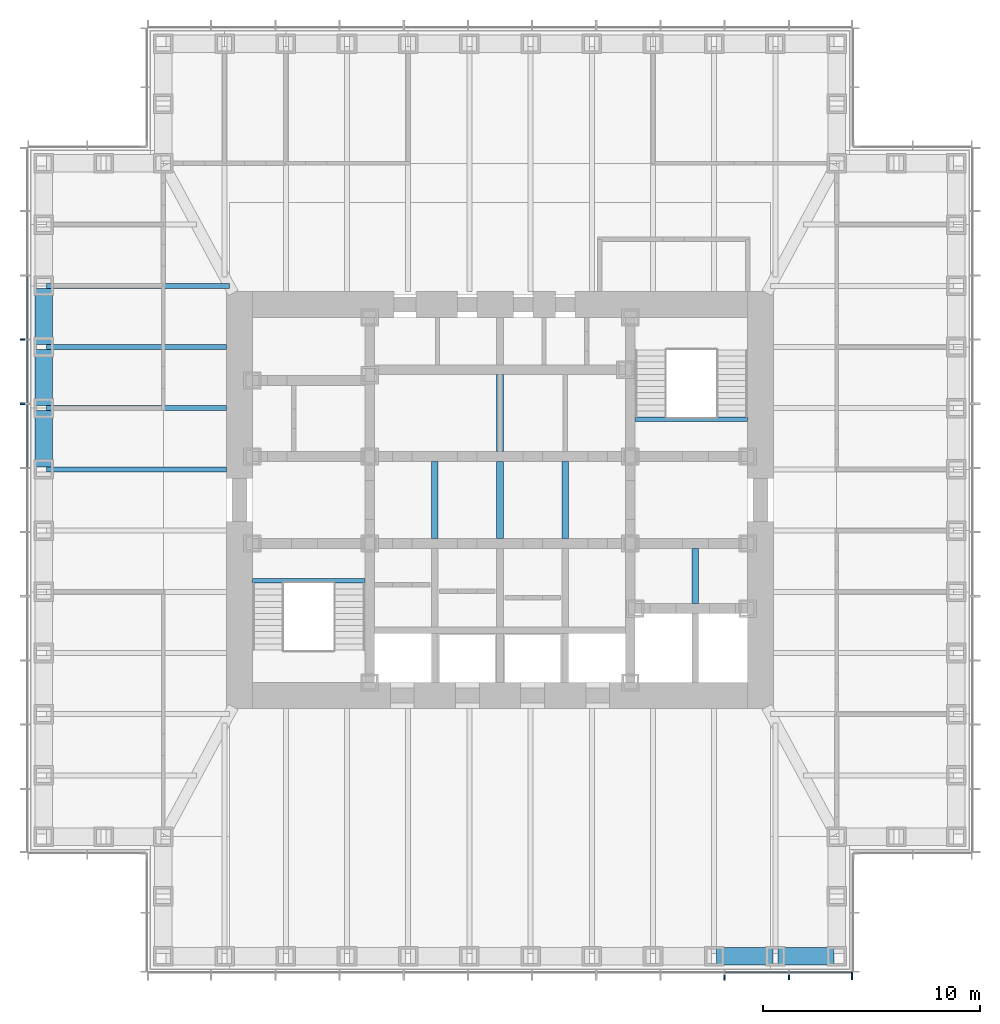
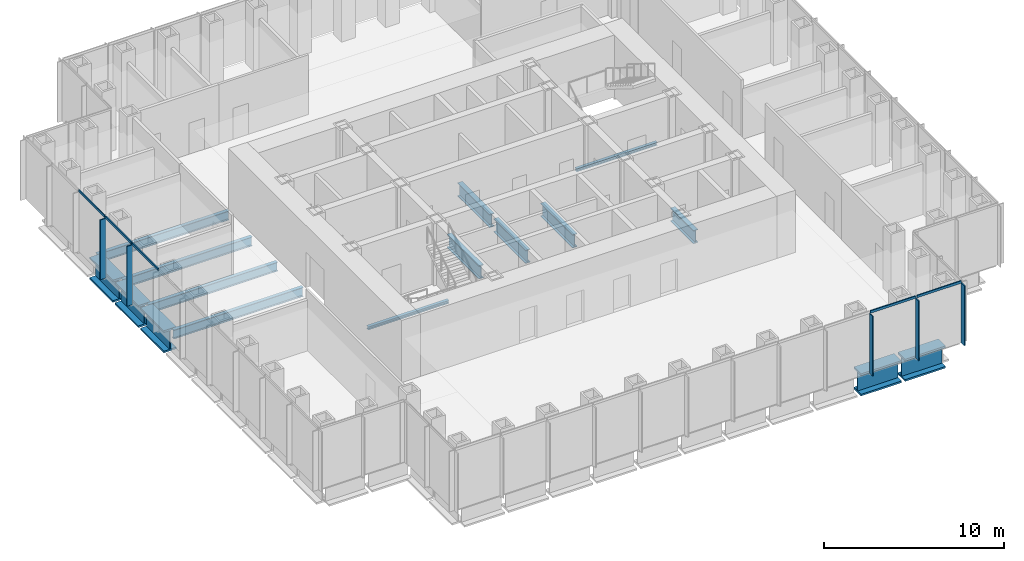
# One storey, part 3 of 16: 16 beams, 10 members, 2 elements without a shape of their own.
"""IFC4 building model written with IfcOpenShell, lengths in metres."""

from ifc_helpers import new_model, si_unit, direction, frame, origin, origin_2d, place, context, subcontext, project, spatial, rectangle, i_section, extrude, material, material_profile, profile_set, type_object, element, aggregate, save


model = new_model("IFC4")

# Units and contexts
model_context = context("Model", 3, precision=1e-05, world=origin(), true_north=direction((0.0, 1.0)))
body_context = subcontext(model_context, "Body", "Model", "MODEL_VIEW")
ifc_project = project(units=[si_unit("LENGTHUNIT", "METRE"), si_unit("AREAUNIT", "SQUARE_METRE"), si_unit("VOLUMEUNIT", "CUBIC_METRE"), si_unit("PLANEANGLEUNIT", "RADIAN"), si_unit("MASSUNIT", "GRAM", prefix="KILO")], contexts=[model_context])

# Site, building, storey
site_placement = place(None, origin())
site = spatial("IfcSite", under=ifc_project, at=site_placement, CompositionType="ELEMENT")
building_placement = place(site_placement, origin())
building = spatial("IfcBuilding", under=site, at=building_placement, Name="Daluyong Arena Tower", CompositionType="ELEMENT")
storey_placement = place(building_placement, frame((0.0, 0.0, 210.699951171875)))
storey = spatial("IfcBuildingStorey", under=building, at=storey_placement, Name="L47", CompositionType="ELEMENT", Elevation=210.699951171875)

# Curtain wall, members
ifc_material_1 = material(Name="Bronze anodised aluminium and glass", Category="aluminium")
curtain_wall_type = type_object("IfcCurtainWallType", Name="Curtain wall CW3", PredefinedType="USERDEFINED", material=ifc_material_1)
curtain_wall_1_placement = place(storey_placement, origin())
curtain_wall_1 = element("IfcCurtainWall", 1, at=curtain_wall_1_placement, inside=storey, type_object=curtain_wall_type, Name="curtain wall L47 S", ObjectType="UNITISED CURTAIN WALL", PredefinedType="USERDEFINED")
ifc_material_2 = material(Name="Bronze anodised aluminium fin", Category="aluminium")
ifc_material_profile_1 = material_profile(ifc_material_2, rectangle(XDim=0.35009765625, YDim=0.070068359375, at=origin_2d()))
ifc_profile_set_1 = profile_set([ifc_material_profile_1], Name="Bronze anodised aluminium fin")
member_type_1 = type_object("IfcMemberType", Name="CW3 bronze fin 350x70", PredefinedType="MULLION", material=ifc_profile_set_1)
member_1_placement = place(storey_placement, frame((66.3408203125, 58.074951171875, 0.0), z_axis=(0.0, 0.0, 1.0), x_axis=(0.0, 1.0, 0.0)))
member_1 = element("IfcMember", 2, at=member_1_placement, type_object=member_type_1, Name="curtain wall L47 S fin 10", PredefinedType="MULLION", context=body_context, shape_type="SweptSolid", body=[
    extrude(rectangle(XDim=0.35009765625, YDim=0.070068359375, at=origin_2d()), origin(), (0.0, 0.0, 1.0), 4.0400390625),
])
member_2_placement = place(storey_placement, frame((69.29541015625, 58.074951171875, 0.0), z_axis=(0.0, 0.0, 1.0), x_axis=(0.0, 1.0, 0.0)))
member_2 = element("IfcMember", 3, at=member_2_placement, type_object=member_type_1, Name="curtain wall L47 S fin 11", PredefinedType="MULLION", context=body_context, shape_type="SweptSolid", body=[
    extrude(rectangle(XDim=0.35009765625, YDim=0.070068359375, at=origin_2d()), origin(), (0.0, 0.0, 1.0), 4.0400390625),
])
member_3_placement = place(storey_placement, frame((72.215087890625, 58.074951171875, 0.0), z_axis=(0.0, 0.0, 1.0), x_axis=(0.0, 1.0, 0.0)))
member_3 = element("IfcMember", 4, at=member_3_placement, type_object=member_type_1, Name="curtain wall L47 S fin 12", PredefinedType="MULLION", context=body_context, shape_type="SweptSolid", body=[
    extrude(rectangle(XDim=0.35009765625, YDim=0.070068359375, at=origin_2d()), origin(), (0.0, 0.0, 1.0), 4.0400390625),
])

curtain_wall_2_placement = place(storey_placement, origin())
curtain_wall_2 = element("IfcCurtainWall", 5, at=curtain_wall_2_placement, inside=storey, type_object=curtain_wall_type, Name="curtain wall L47 W", ObjectType="UNITISED CURTAIN WALL", PredefinedType="USERDEFINED")
member_4_placement = place(storey_placement, frame((34.074951171875, 87.386474609375, 0.0), z_axis=(0.0, 0.0, 1.0), x_axis=(1.0, 0.0, 0.0)))
member_4 = element("IfcMember", 6, at=member_4_placement, type_object=member_type_1, Name="curtain wall L47 W fin 4", PredefinedType="MULLION", context=body_context, shape_type="SweptSolid", body=[
    extrude(rectangle(XDim=0.35009765625, YDim=0.070068359375, at=origin_2d()), origin(), (0.0, 0.0, 1.0), 4.0400390625),
])
member_5_placement = place(storey_placement, frame((34.074951171875, 84.431884765625, 0.0), z_axis=(0.0, 0.0, 1.0), x_axis=(1.0, 0.0, 0.0)))
member_5 = element("IfcMember", 7, at=member_5_placement, type_object=member_type_1, Name="curtain wall L47 W fin 5", PredefinedType="MULLION", context=body_context, shape_type="SweptSolid", body=[
    extrude(rectangle(XDim=0.35009765625, YDim=0.070068359375, at=origin_2d()), origin(), (0.0, 0.0, 1.0), 4.0400390625),
])

# Member
ifc_material_3 = material(Name="Bronze anodised aluminium", Category="aluminium")
ifc_material_profile_2 = material_profile(ifc_material_3, rectangle(XDim=0.070068359375, YDim=0.159912109375, at=origin_2d()))
ifc_profile_set_2 = profile_set([ifc_material_profile_2], Name="Bronze anodised aluminium")
member_type_2 = type_object("IfcMemberType", Name="CW3 stack transom 160x70", PredefinedType="USERDEFINED", material=ifc_profile_set_2)
member_6_placement = place(storey_placement, frame((66.3759765625, 58.25, 4.1201171875), z_axis=(1.0, 0.0, 0.0), x_axis=(0.0, 1.0, 0.0)))
member_6 = element("IfcMember", 8, at=member_6_placement, type_object=member_type_2, Name="curtain wall L47 S transom 10", ObjectType="TRANSOM", PredefinedType="USERDEFINED", context=body_context, shape_type="SweptSolid", body=[
    extrude(rectangle(XDim=0.070068359375, YDim=0.159912109375, at=origin_2d()), origin(), (0.0, 0.0, 1.0), 2.884521484375),
])

member_7_placement = place(storey_placement, frame((69.33056640625, 58.25, 4.1201171875), z_axis=(1.0, 0.0, 0.0), x_axis=(0.0, 1.0, 0.0)))
member_7 = element("IfcMember", 9, at=member_7_placement, type_object=member_type_2, Name="curtain wall L47 S transom 11", ObjectType="TRANSOM", PredefinedType="USERDEFINED", context=body_context, shape_type="SweptSolid", body=[
    extrude(rectangle(XDim=0.070068359375, YDim=0.159912109375, at=origin_2d()), origin(), (0.0, 0.0, 1.0), 2.849365234375),
])

aggregate(curtain_wall_1, [member_1, member_2, member_3, member_6, member_7])

member_8_placement = place(storey_placement, frame((34.25, 90.305908203125, 4.1201171875), z_axis=(0.0, -1.0, 0.0), x_axis=(1.0, 0.0, 0.0)))
member_8 = element("IfcMember", 10, at=member_8_placement, type_object=member_type_2, Name="curtain wall L47 W transom 3", ObjectType="TRANSOM", PredefinedType="USERDEFINED", context=body_context, shape_type="SweptSolid", body=[
    extrude(rectangle(XDim=0.070068359375, YDim=0.159912109375, at=origin_2d()), origin(), (0.0, 0.0, 1.0), 2.884521484375),
])

member_9_placement = place(storey_placement, frame((34.25, 87.351318359375, 4.1201171875), z_axis=(0.0, -1.0, 0.0), x_axis=(1.0, 0.0, 0.0)))
member_9 = element("IfcMember", 11, at=member_9_placement, type_object=member_type_2, Name="curtain wall L47 W transom 4", ObjectType="TRANSOM", PredefinedType="USERDEFINED", context=body_context, shape_type="SweptSolid", body=[
    extrude(rectangle(XDim=0.070068359375, YDim=0.159912109375, at=origin_2d()), origin(), (0.0, 0.0, 1.0), 2.884521484375),
])

member_10_placement = place(storey_placement, frame((34.25, 84.396728515625, 4.1201171875), z_axis=(0.0, -1.0, 0.0), x_axis=(1.0, 0.0, 0.0)))
member_10 = element("IfcMember", 12, at=member_10_placement, type_object=member_type_2, Name="curtain wall L47 W transom 5", ObjectType="TRANSOM", PredefinedType="USERDEFINED", context=body_context, shape_type="SweptSolid", body=[
    extrude(rectangle(XDim=0.070068359375, YDim=0.159912109375, at=origin_2d()), origin(), (0.0, 0.0, 1.0), 2.884521484375),
])

aggregate(curtain_wall_2, [member_4, member_5, member_8, member_9, member_10])

# Beams
ifc_material_4 = material(Name="Steel ASTM A992 Grade 50", Category="steel")
ifc_material_profile_3 = material_profile(ifc_material_4, i_section(OverallWidth=0.22900390625, OverallDepth=0.612060546875, WebThickness=0.011962890625, FlangeThickness=0.01953125, at=origin_2d()))
ifc_profile_set_3 = profile_set([ifc_material_profile_3], Name="Steel ASTM A992 Grade 50")
beam_type_1 = type_object("IfcBeamType", Name="Floor beam W24X84", PredefinedType="BEAM", material=ifc_profile_set_3)
beam_1_placement = place(storey_placement, frame((35.114990234375, 89.863525390625, -0.466064453125), z_axis=(1.0, 0.0, 0.0), x_axis=(0.0, 1.0, 0.0)))
element("IfcBeam", 13, at=beam_1_placement, inside=storey, type_object=beam_type_1, Name="floor beam FB3", PredefinedType="BEAM", context=body_context, shape_type="SweptSolid", body=[
    extrude(i_section(OverallWidth=0.22900390625, OverallDepth=0.612060546875, WebThickness=0.011962890625, FlangeThickness=0.01953125, at=origin_2d()), origin(), (0.0, 0.0, 1.0), 8.419921875),
])
for number, where, z_axis, x_axis, name in (
    (14, (35.114990234375, 87.04541015625, -0.466064453125), (1.0, 0.0, 0.0), (0.0, 1.0, 0.0), "floor beam FB3"),
    (15, (35.114990234375, 84.227294921875, -0.466064453125), (1.0, 0.0, 0.0), (0.0, 1.0, 0.0), "floor beam FB3"),
    (16, (35.114990234375, 81.4091796875, -0.466064453125), (1.0, 0.0, 0.0), (0.0, 1.0, 0.0), "floor beam FB3"),
):
    element("IfcBeam", number, at=place(storey_placement, frame(where, z_axis=z_axis, x_axis=x_axis)), inside=storey, type_object=beam_type_1, Name=name, PredefinedType="BEAM", context=body_context, shape_type="SweptSolid", body=[
        extrude(i_section(OverallWidth=0.22900390625, OverallDepth=0.612060546875, WebThickness=0.011962890625, FlangeThickness=0.01953125, at=origin_2d()), origin(), (0.0, 0.0, 1.0), 8.284912109375),
    ])
ifc_material_5 = material(Name="Steel ASTM A572 Grade 50", Category="steel")
ifc_material_profile_4 = material_profile(ifc_material_5, i_section(OverallWidth=0.300048828125, OverallDepth=0.89990234375, WebThickness=0.025, FlangeThickness=0.04, at=origin_2d()))
ifc_profile_set_4 = profile_set([ifc_material_profile_4], Name="Steel ASTM A572 Grade 50")
beam_type_2 = type_object("IfcBeamType", Name="Lift divider beam PG900X300", PredefinedType="BEAM", material=ifc_profile_set_4)
for number, where, z_axis, x_axis, name in (
    (17, (53.0, 78.22509765625, -0.60986328125), (0.0, 1.0, 0.0), (-1.0, 0.0, 0.0), "lift divider beam DB1"),
    (18, (56.0, 78.22509765625, -0.60986328125), (0.0, 1.0, 0.0), (-1.0, 0.0, 0.0), "lift divider beam DB1"),
    (19, (56.0, 82.22509765625, -0.60986328125), (0.0, 1.0, 0.0), (-1.0, 0.0, 0.0), "lift divider beam DB1"),
    (20, (59.0, 78.22509765625, -0.60986328125), (0.0, 1.0, 0.0), (-1.0, 0.0, 0.0), "lift divider beam DB1"),
):
    element("IfcBeam", number, at=place(storey_placement, frame(where, z_axis=z_axis, x_axis=x_axis)), inside=storey, type_object=beam_type_2, Name=name, PredefinedType="BEAM", context=body_context, shape_type="SweptSolid", body=[
        extrude(i_section(OverallWidth=0.300048828125, OverallDepth=0.89990234375, WebThickness=0.025, FlangeThickness=0.04, at=origin_2d()), origin(), (0.0, 0.0, 1.0), 3.5498046875),
    ])
beam_2_placement = place(storey_placement, frame((65.0, 75.22509765625, -0.60986328125), z_axis=(0.0, 1.0, 0.0), x_axis=(-1.0, 0.0, 0.0)))
element("IfcBeam", 21, at=beam_2_placement, inside=storey, type_object=beam_type_2, Name="lift divider beam DB1", PredefinedType="BEAM", context=body_context, shape_type="SweptSolid", body=[
    extrude(i_section(OverallWidth=0.300048828125, OverallDepth=0.89990234375, WebThickness=0.025, FlangeThickness=0.04, at=origin_2d()), origin(), (0.0, 0.0, 1.0), 2.5498046875),
])
ifc_material_6 = material(Name="Steel ASTM A588 Grade 50", Category="steel")
ifc_material_profile_5 = material_profile(ifc_material_6, i_section(OverallWidth=0.800048828125, OverallDepth=1.5, WebThickness=0.05, FlangeThickness=0.12, at=origin_2d()))
ifc_profile_set_5 = profile_set([ifc_material_profile_5], Name="Steel ASTM A588 Grade 50")
beam_type_3 = type_object("IfcBeamType", Name="Spandrel Z3 PG1500X800", PredefinedType="SPANDREL", material=ifc_profile_set_5)
beam_3_placement = place(storey_placement, frame((65.978515625, 59.0, -0.909912109375), z_axis=(1.0, 0.0, 0.0), x_axis=(0.0, 1.0, 0.0)))
element("IfcBeam", 22, at=beam_3_placement, inside=storey, type_object=beam_type_3, Name="spandrel z3 SB7", PredefinedType="SPANDREL", context=body_context, shape_type="SweptSolid", body=[
    extrude(i_section(OverallWidth=0.800048828125, OverallDepth=1.5, WebThickness=0.05, FlangeThickness=0.12, at=origin_2d()), origin(), (0.0, 0.0, 1.0), 2.58837890625),
])
for number, where, z_axis, x_axis, name in (
    (23, (68.796875, 59.0, -0.909912109375), (1.0, 0.0, 0.0), (0.0, 1.0, 0.0), "spandrel z3 SB7"),
    (24, (35.0, 89.74853515625, -0.909912109375), (0.0, -1.0, 0.0), (1.0, 0.0, 0.0), "spandrel z3 SB7"),
    (25, (35.0, 86.930419921875, -0.909912109375), (0.0, -1.0, 0.0), (1.0, 0.0, 0.0), "spandrel z3 SB7"),
    (26, (35.0, 84.1123046875, -0.909912109375), (0.0, -1.0, 0.0), (1.0, 0.0, 0.0), "spandrel z3 SB7"),
):
    element("IfcBeam", number, at=place(storey_placement, frame(where, z_axis=z_axis, x_axis=x_axis)), inside=storey, type_object=beam_type_3, Name=name, PredefinedType="SPANDREL", context=body_context, shape_type="SweptSolid", body=[
        extrude(i_section(OverallWidth=0.800048828125, OverallDepth=1.5, WebThickness=0.05, FlangeThickness=0.12, at=origin_2d()), origin(), (0.0, 0.0, 1.0), 2.588134765625),
    ])
ifc_material_7 = material(Name="Steel ASTM A992 Grade 50", Category="steel")
ifc_material_profile_6 = material_profile(ifc_material_7, i_section(OverallWidth=0.203125, OverallDepth=0.203125, WebThickness=0.00732421875, FlangeThickness=0.010986328125, at=origin_2d()))
ifc_profile_set_6 = profile_set([ifc_material_profile_6], Name="Steel ASTM A992 Grade 50")
beam_type_4 = type_object("IfcBeamType", Name="Stair landing beam W8X31", PredefinedType="BEAM", material=ifc_profile_set_6)
for number, where, z_axis, x_axis, name in (
    (27, (44.60009765625, 76.276611328125, -0.261474609375), (1.0, 0.0, 0.0), (0.0, 1.0, 0.0), "exit stair A landing beam"),
    (28, (62.22509765625, 83.723388671875, -0.261474609375), (1.0, 0.0, 0.0), (0.0, 1.0, 0.0), "exit stair B landing beam"),
):
    element("IfcBeam", number, at=place(storey_placement, frame(where, z_axis=z_axis, x_axis=x_axis)), inside=storey, type_object=beam_type_4, Name=name, PredefinedType="BEAM", context=body_context, shape_type="SweptSolid", body=[
        extrude(i_section(OverallWidth=0.203125, OverallDepth=0.203125, WebThickness=0.00732421875, FlangeThickness=0.010986328125, at=origin_2d()), origin(), (0.0, 0.0, 1.0), 5.1748046875),
    ])

save(model, "model.ifc")
